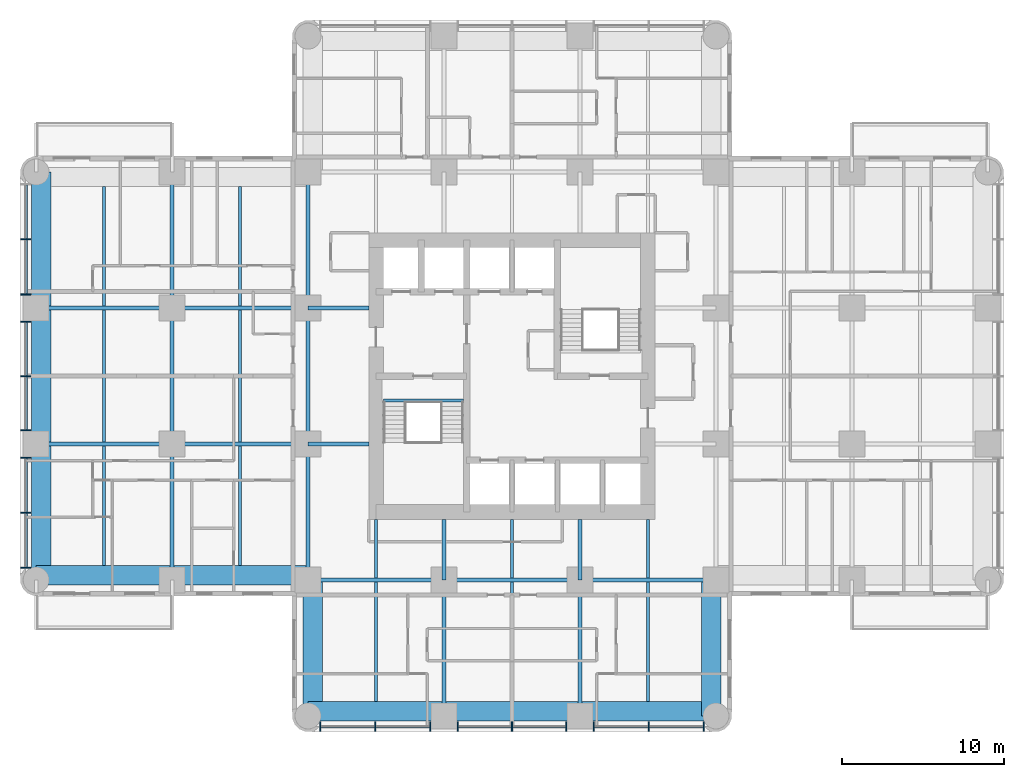
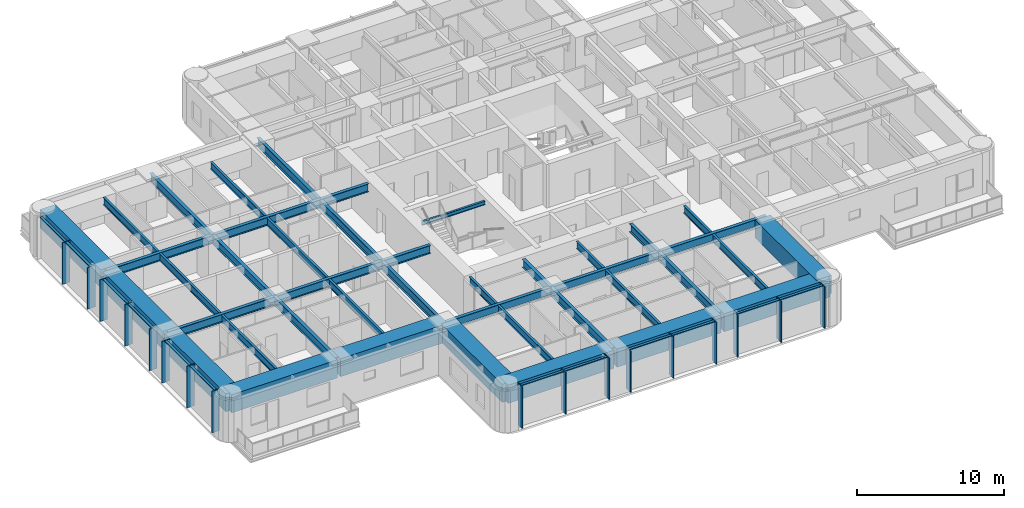
# One storey, part 2 of 14: 42 beams, 29 members, 2 elements without a shape of their own.
"""IFC4 building model written with IfcOpenShell, lengths in metres."""

from ifc_helpers import new_model, si_unit, direction, frame, origin, origin_2d, place, context, subcontext, project, spatial, rectangle, i_section, extrude, material, material_profile, profile_set, type_object, element, aggregate, save


model = new_model("IFC4")

# Units and contexts
model_context = context("Model", 3, precision=1e-05, world=origin(), true_north=direction((0.0, 1.0)))
body_context = subcontext(model_context, "Body", "Model", "MODEL_VIEW")
ifc_project = project(units=[si_unit("LENGTHUNIT", "METRE"), si_unit("AREAUNIT", "SQUARE_METRE"), si_unit("VOLUMEUNIT", "CUBIC_METRE"), si_unit("PLANEANGLEUNIT", "RADIAN"), si_unit("MASSUNIT", "GRAM", prefix="KILO")], contexts=[model_context])

# Site, building, storey
site_placement = place(None, origin())
site = spatial("IfcSite", under=ifc_project, at=site_placement, CompositionType="ELEMENT")
building_placement = place(site_placement, origin())
building = spatial("IfcBuilding", under=site, at=building_placement, Name="Torre Alcanfor", CompositionType="ELEMENT")
storey_placement = place(building_placement, frame((0.0, 0.0, 126.89990234375)))
storey = spatial("IfcBuildingStorey", under=building, at=storey_placement, Name="L32", CompositionType="ELEMENT", Elevation=126.89990234375)

# Curtain wall, members
ifc_material_1 = material(Name="Aluminium and glass", Category="aluminium")
curtain_wall_type = type_object("IfcCurtainWallType", Name="CW-A unitised apartment glazing with vertical FIN", PredefinedType="NOTDEFINED", material=ifc_material_1)
curtain_wall_1_placement = place(storey_placement, origin())
curtain_wall_1 = element("IfcCurtainWall", 1, at=curtain_wall_1_placement, inside=storey, type_object=curtain_wall_type, Name="Curtain wall CW-A L32 2", PredefinedType="NOTDEFINED")
ifc_material_2 = material(Name="Bronze anodised aluminium", Category="aluminium")
ifc_material_profile_1 = material_profile(ifc_material_2, rectangle(XDim=0.60009765625, YDim=0.06494140625, at=origin_2d()), Name="CW-A mullion 65x600")
ifc_profile_set_1 = profile_set([ifc_material_profile_1], Name="Bronze anodised aluminium")
member_type_1 = type_object("IfcMemberType", Name="CW-A mullion with vertical FIN 65x600", PredefinedType="MULLION", material=ifc_profile_set_1)
member_1_placement = place(storey_placement, frame((-0.64990234375, 37.840087890625, 0.0), z_axis=(0.0, 0.0, 1.0), x_axis=(1.0, 0.0, 0.0)))
member_1 = element("IfcMember", 2, at=member_1_placement, type_object=member_type_1, Name="CW-A mullion 1.2", PredefinedType="MULLION", context=body_context, shape_type="SweptSolid", body=[
    extrude(rectangle(XDim=0.60009765625, YDim=0.06494140625, at=origin_2d()), origin(), (0.0, 0.0, 1.0), 3.4501953125),
])
member_2_placement = place(storey_placement, frame((-0.64990234375, 34.4375, 0.0), z_axis=(0.0, 0.0, 1.0), x_axis=(1.0, 0.0, 0.0)))
member_2 = element("IfcMember", 3, at=member_2_placement, type_object=member_type_1, Name="CW-A mullion 1.3", PredefinedType="MULLION", context=body_context, shape_type="SweptSolid", body=[
    extrude(rectangle(XDim=0.60009765625, YDim=0.06494140625, at=origin_2d()), origin(), (0.0, 0.0, 1.0), 3.4501953125),
])
member_3_placement = place(storey_placement, frame((-0.64990234375, 32.762451171875, 0.0), z_axis=(0.0, 0.0, 1.0), x_axis=(1.0, 0.0, 0.0)))
member_3 = element("IfcMember", 4, at=member_3_placement, type_object=member_type_1, Name="CW-A mullion 2.1", PredefinedType="MULLION", context=body_context, shape_type="SweptSolid", body=[
    extrude(rectangle(XDim=0.60009765625, YDim=0.06494140625, at=origin_2d()), origin(), (0.0, 0.0, 1.0), 3.4501953125),
])
member_4_placement = place(storey_placement, frame((-0.64990234375, 29.39990234375, 0.0), z_axis=(0.0, 0.0, 1.0), x_axis=(1.0, 0.0, 0.0)))
member_4 = element("IfcMember", 5, at=member_4_placement, type_object=member_type_1, Name="CW-A mullion 2.2", PredefinedType="MULLION", context=body_context, shape_type="SweptSolid", body=[
    extrude(rectangle(XDim=0.60009765625, YDim=0.06494140625, at=origin_2d()), origin(), (0.0, 0.0, 1.0), 3.4501953125),
])
member_5_placement = place(storey_placement, frame((-0.64990234375, 26.03759765625, 0.0), z_axis=(0.0, 0.0, 1.0), x_axis=(1.0, 0.0, 0.0)))
member_5 = element("IfcMember", 6, at=member_5_placement, type_object=member_type_1, Name="CW-A mullion 2.3", PredefinedType="MULLION", context=body_context, shape_type="SweptSolid", body=[
    extrude(rectangle(XDim=0.60009765625, YDim=0.06494140625, at=origin_2d()), origin(), (0.0, 0.0, 1.0), 3.4501953125),
])
member_6_placement = place(storey_placement, frame((-0.64990234375, 24.362548828125, 0.0), z_axis=(0.0, 0.0, 1.0), x_axis=(1.0, 0.0, 0.0)))
member_6 = element("IfcMember", 7, at=member_6_placement, type_object=member_type_1, Name="CW-A mullion 3.1", PredefinedType="MULLION", context=body_context, shape_type="SweptSolid", body=[
    extrude(rectangle(XDim=0.60009765625, YDim=0.06494140625, at=origin_2d()), origin(), (0.0, 0.0, 1.0), 3.4501953125),
])
member_7_placement = place(storey_placement, frame((-0.64990234375, 20.9599609375, 0.0), z_axis=(0.0, 0.0, 1.0), x_axis=(1.0, 0.0, 0.0)))
member_7 = element("IfcMember", 8, at=member_7_placement, type_object=member_type_1, Name="CW-A mullion 3.2", PredefinedType="MULLION", context=body_context, shape_type="SweptSolid", body=[
    extrude(rectangle(XDim=0.60009765625, YDim=0.06494140625, at=origin_2d()), origin(), (0.0, 0.0, 1.0), 3.4501953125),
])
member_8_placement = place(storey_placement, frame((-0.64990234375, 17.557373046875, 0.0), z_axis=(0.0, 0.0, 1.0), x_axis=(1.0, 0.0, 0.0)))
member_8 = element("IfcMember", 9, at=member_8_placement, type_object=member_type_1, Name="CW-A mullion 3.3", PredefinedType="MULLION", context=body_context, shape_type="SweptSolid", body=[
    extrude(rectangle(XDim=0.60009765625, YDim=0.06494140625, at=origin_2d()), origin(), (0.0, 0.0, 1.0), 3.4501953125),
])

curtain_wall_2_placement = place(storey_placement, origin())
curtain_wall_2 = element("IfcCurtainWall", 10, at=curtain_wall_2_placement, inside=storey, type_object=curtain_wall_type, Name="Curtain wall CW-A L32 5", PredefinedType="NOTDEFINED")
member_9_placement = place(storey_placement, frame((17.557373046875, 7.75, 0.0), z_axis=(0.0, 0.0, 1.0), x_axis=(0.0, 1.0, 0.0)))
member_9 = element("IfcMember", 11, at=member_9_placement, type_object=member_type_1, Name="CW-A mullion 1.1", PredefinedType="MULLION", context=body_context, shape_type="SweptSolid", body=[
    extrude(rectangle(XDim=0.60009765625, YDim=0.06494140625, at=origin_2d()), origin(), (0.0, 0.0, 1.0), 3.4501953125),
])
member_10_placement = place(storey_placement, frame((20.9599609375, 7.75, 0.0), z_axis=(0.0, 0.0, 1.0), x_axis=(0.0, 1.0, 0.0)))
member_10 = element("IfcMember", 12, at=member_10_placement, type_object=member_type_1, Name="CW-A mullion 1.2", PredefinedType="MULLION", context=body_context, shape_type="SweptSolid", body=[
    extrude(rectangle(XDim=0.60009765625, YDim=0.06494140625, at=origin_2d()), origin(), (0.0, 0.0, 1.0), 3.4501953125),
])
member_11_placement = place(storey_placement, frame((24.362548828125, 7.75, 0.0), z_axis=(0.0, 0.0, 1.0), x_axis=(0.0, 1.0, 0.0)))
member_11 = element("IfcMember", 13, at=member_11_placement, type_object=member_type_1, Name="CW-A mullion 1.3", PredefinedType="MULLION", context=body_context, shape_type="SweptSolid", body=[
    extrude(rectangle(XDim=0.60009765625, YDim=0.06494140625, at=origin_2d()), origin(), (0.0, 0.0, 1.0), 3.4501953125),
])
member_12_placement = place(storey_placement, frame((26.03759765625, 7.75, 0.0), z_axis=(0.0, 0.0, 1.0), x_axis=(0.0, 1.0, 0.0)))
member_12 = element("IfcMember", 14, at=member_12_placement, type_object=member_type_1, Name="CW-A mullion 2.1", PredefinedType="MULLION", context=body_context, shape_type="SweptSolid", body=[
    extrude(rectangle(XDim=0.60009765625, YDim=0.06494140625, at=origin_2d()), origin(), (0.0, 0.0, 1.0), 3.4501953125),
])
member_13_placement = place(storey_placement, frame((29.39990234375, 7.75, 0.0), z_axis=(0.0, 0.0, 1.0), x_axis=(0.0, 1.0, 0.0)))
member_13 = element("IfcMember", 15, at=member_13_placement, type_object=member_type_1, Name="CW-A mullion 2.2", PredefinedType="MULLION", context=body_context, shape_type="SweptSolid", body=[
    extrude(rectangle(XDim=0.60009765625, YDim=0.06494140625, at=origin_2d()), origin(), (0.0, 0.0, 1.0), 3.4501953125),
])
member_14_placement = place(storey_placement, frame((32.762451171875, 7.75, 0.0), z_axis=(0.0, 0.0, 1.0), x_axis=(0.0, 1.0, 0.0)))
member_14 = element("IfcMember", 16, at=member_14_placement, type_object=member_type_1, Name="CW-A mullion 2.3", PredefinedType="MULLION", context=body_context, shape_type="SweptSolid", body=[
    extrude(rectangle(XDim=0.60009765625, YDim=0.06494140625, at=origin_2d()), origin(), (0.0, 0.0, 1.0), 3.4501953125),
])
member_15_placement = place(storey_placement, frame((34.4375, 7.75, 0.0), z_axis=(0.0, 0.0, 1.0), x_axis=(0.0, 1.0, 0.0)))
member_15 = element("IfcMember", 17, at=member_15_placement, type_object=member_type_1, Name="CW-A mullion 3.1", PredefinedType="MULLION", context=body_context, shape_type="SweptSolid", body=[
    extrude(rectangle(XDim=0.60009765625, YDim=0.06494140625, at=origin_2d()), origin(), (0.0, 0.0, 1.0), 3.4501953125),
])
member_16_placement = place(storey_placement, frame((37.840087890625, 7.75, 0.0), z_axis=(0.0, 0.0, 1.0), x_axis=(0.0, 1.0, 0.0)))
member_16 = element("IfcMember", 18, at=member_16_placement, type_object=member_type_1, Name="CW-A mullion 3.2", PredefinedType="MULLION", context=body_context, shape_type="SweptSolid", body=[
    extrude(rectangle(XDim=0.60009765625, YDim=0.06494140625, at=origin_2d()), origin(), (0.0, 0.0, 1.0), 3.4501953125),
])
member_17_placement = place(storey_placement, frame((41.24267578125, 7.75, 0.0), z_axis=(0.0, 0.0, 1.0), x_axis=(0.0, 1.0, 0.0)))
member_17 = element("IfcMember", 19, at=member_17_placement, type_object=member_type_1, Name="CW-A mullion 3.3", PredefinedType="MULLION", context=body_context, shape_type="SweptSolid", body=[
    extrude(rectangle(XDim=0.60009765625, YDim=0.06494140625, at=origin_2d()), origin(), (0.0, 0.0, 1.0), 3.4501953125),
])

# Member
ifc_material_3 = material(Name="Extruded aluminium", Category="aluminium")
ifc_material_profile_2 = material_profile(ifc_material_3, rectangle(XDim=0.199951171875, YDim=0.06494140625, at=origin_2d()), Name="CW-A transom 200x65")
ifc_profile_set_2 = profile_set([ifc_material_profile_2], Name="Extruded aluminium")
member_type_2 = type_object("IfcMemberType", Name="CW-A transom 65x200", PredefinedType="USERDEFINED", material=ifc_profile_set_2)
member_18_placement = place(storey_placement, frame((-0.64990234375, 41.210205078125, 3.41748046875), z_axis=(0.0, -1.0, 0.0), x_axis=(1.0, 0.0, 0.0)))
member_18 = element("IfcMember", 20, at=member_18_placement, type_object=member_type_2, Name="CW-A transom 1.1.2", ObjectType="TRANSOM", PredefinedType="USERDEFINED", context=body_context, shape_type="SweptSolid", body=[
    extrude(rectangle(XDim=0.199951171875, YDim=0.06494140625, at=origin_2d()), origin(), (0.0, 0.0, 1.0), 3.337646484375),
])

member_19_placement = place(storey_placement, frame((-0.64990234375, 37.8076171875, 3.41748046875), z_axis=(0.0, -1.0, 0.0), x_axis=(1.0, 0.0, 0.0)))
member_19 = element("IfcMember", 21, at=member_19_placement, type_object=member_type_2, Name="CW-A transom 1.2.2", ObjectType="TRANSOM", PredefinedType="USERDEFINED", context=body_context, shape_type="SweptSolid", body=[
    extrude(rectangle(XDim=0.199951171875, YDim=0.06494140625, at=origin_2d()), origin(), (0.0, 0.0, 1.0), 3.337646484375),
])

member_20_placement = place(storey_placement, frame((-0.64990234375, 32.72998046875, 3.41748046875), z_axis=(0.0, -1.0, 0.0), x_axis=(1.0, 0.0, 0.0)))
member_20 = element("IfcMember", 22, at=member_20_placement, type_object=member_type_2, Name="CW-A transom 2.1.2", ObjectType="TRANSOM", PredefinedType="USERDEFINED", context=body_context, shape_type="SweptSolid", body=[
    extrude(rectangle(XDim=0.199951171875, YDim=0.06494140625, at=origin_2d()), origin(), (0.0, 0.0, 1.0), 3.29736328125),
])

member_21_placement = place(storey_placement, frame((-0.64990234375, 29.367431640625, 3.41748046875), z_axis=(0.0, -1.0, 0.0), x_axis=(1.0, 0.0, 0.0)))
member_21 = element("IfcMember", 23, at=member_21_placement, type_object=member_type_2, Name="CW-A transom 2.2.2", ObjectType="TRANSOM", PredefinedType="USERDEFINED", context=body_context, shape_type="SweptSolid", body=[
    extrude(rectangle(XDim=0.199951171875, YDim=0.06494140625, at=origin_2d()), origin(), (0.0, 0.0, 1.0), 3.29736328125),
])

member_22_placement = place(storey_placement, frame((-0.64990234375, 24.330078125, 3.41748046875), z_axis=(0.0, -1.0, 0.0), x_axis=(1.0, 0.0, 0.0)))
member_22 = element("IfcMember", 24, at=member_22_placement, type_object=member_type_2, Name="CW-A transom 3.1.2", ObjectType="TRANSOM", PredefinedType="USERDEFINED", context=body_context, shape_type="SweptSolid", body=[
    extrude(rectangle(XDim=0.199951171875, YDim=0.06494140625, at=origin_2d()), origin(), (0.0, 0.0, 1.0), 3.337646484375),
])

member_23_placement = place(storey_placement, frame((-0.64990234375, 20.927490234375, 3.41748046875), z_axis=(0.0, -1.0, 0.0), x_axis=(1.0, 0.0, 0.0)))
member_23 = element("IfcMember", 25, at=member_23_placement, type_object=member_type_2, Name="CW-A transom 3.2.2", ObjectType="TRANSOM", PredefinedType="USERDEFINED", context=body_context, shape_type="SweptSolid", body=[
    extrude(rectangle(XDim=0.199951171875, YDim=0.06494140625, at=origin_2d()), origin(), (0.0, 0.0, 1.0), 3.337646484375),
])

aggregate(curtain_wall_1, [member_1, member_2, member_18, member_19, member_3, member_4, member_5, member_20, member_21, member_6, member_7, member_8, member_22, member_23])

member_24_placement = place(storey_placement, frame((17.58984375, 7.75, 3.41748046875), z_axis=(1.0, 0.0, 0.0), x_axis=(0.0, 1.0, 0.0)))
member_24 = element("IfcMember", 26, at=member_24_placement, type_object=member_type_2, Name="CW-A transom 1.1.2", ObjectType="TRANSOM", PredefinedType="USERDEFINED", context=body_context, shape_type="SweptSolid", body=[
    extrude(rectangle(XDim=0.199951171875, YDim=0.06494140625, at=origin_2d()), origin(), (0.0, 0.0, 1.0), 3.337646484375),
])

member_25_placement = place(storey_placement, frame((20.992431640625, 7.75, 3.41748046875), z_axis=(1.0, 0.0, 0.0), x_axis=(0.0, 1.0, 0.0)))
member_25 = element("IfcMember", 27, at=member_25_placement, type_object=member_type_2, Name="CW-A transom 1.2.2", ObjectType="TRANSOM", PredefinedType="USERDEFINED", context=body_context, shape_type="SweptSolid", body=[
    extrude(rectangle(XDim=0.199951171875, YDim=0.06494140625, at=origin_2d()), origin(), (0.0, 0.0, 1.0), 3.337646484375),
])

member_26_placement = place(storey_placement, frame((26.070068359375, 7.75, 3.41748046875), z_axis=(1.0, 0.0, 0.0), x_axis=(0.0, 1.0, 0.0)))
member_26 = element("IfcMember", 28, at=member_26_placement, type_object=member_type_2, Name="CW-A transom 2.1.2", ObjectType="TRANSOM", PredefinedType="USERDEFINED", context=body_context, shape_type="SweptSolid", body=[
    extrude(rectangle(XDim=0.199951171875, YDim=0.06494140625, at=origin_2d()), origin(), (0.0, 0.0, 1.0), 3.29736328125),
])

member_27_placement = place(storey_placement, frame((29.4326171875, 7.75, 3.41748046875), z_axis=(1.0, 0.0, 0.0), x_axis=(0.0, 1.0, 0.0)))
member_27 = element("IfcMember", 29, at=member_27_placement, type_object=member_type_2, Name="CW-A transom 2.2.2", ObjectType="TRANSOM", PredefinedType="USERDEFINED", context=body_context, shape_type="SweptSolid", body=[
    extrude(rectangle(XDim=0.199951171875, YDim=0.06494140625, at=origin_2d()), origin(), (0.0, 0.0, 1.0), 3.29736328125),
])

member_28_placement = place(storey_placement, frame((34.469970703125, 7.75, 3.41748046875), z_axis=(1.0, 0.0, 0.0), x_axis=(0.0, 1.0, 0.0)))
member_28 = element("IfcMember", 30, at=member_28_placement, type_object=member_type_2, Name="CW-A transom 3.1.2", ObjectType="TRANSOM", PredefinedType="USERDEFINED", context=body_context, shape_type="SweptSolid", body=[
    extrude(rectangle(XDim=0.199951171875, YDim=0.06494140625, at=origin_2d()), origin(), (0.0, 0.0, 1.0), 3.337646484375),
])

member_29_placement = place(storey_placement, frame((37.87255859375, 7.75, 3.41748046875), z_axis=(1.0, 0.0, 0.0), x_axis=(0.0, 1.0, 0.0)))
member_29 = element("IfcMember", 31, at=member_29_placement, type_object=member_type_2, Name="CW-A transom 3.2.2", ObjectType="TRANSOM", PredefinedType="USERDEFINED", context=body_context, shape_type="SweptSolid", body=[
    extrude(rectangle(XDim=0.199951171875, YDim=0.06494140625, at=origin_2d()), origin(), (0.0, 0.0, 1.0), 3.337646484375),
])

aggregate(curtain_wall_2, [member_9, member_10, member_11, member_24, member_25, member_12, member_13, member_14, member_26, member_27, member_15, member_16, member_17, member_28, member_29])

# Beams
ifc_material_4 = material(Name="Steel ASTM A992 Grade 50", Category="steel")
ifc_material_profile_3 = material_profile(ifc_material_4, i_section(OverallWidth=0.25390625, OverallDepth=0.683349609375, WebThickness=0.012451171875, FlangeThickness=0.01904296875, at=origin_2d()), Name="W27x94")
ifc_profile_set_3 = profile_set([ifc_material_profile_3], Name="Steel ASTM A992 Grade 50")
beam_type_1 = type_object("IfcBeamType", Name="Girder W27x94", PredefinedType="BEAM", material=ifc_profile_set_3)
beam_1_placement = place(storey_placement, frame((16.800048828125, 16.800048828125, 3.1083984375), z_axis=(1.0, 0.0, 0.0), x_axis=(0.0, 1.0, 0.0)))
element("IfcBeam", 32, at=beam_1_placement, inside=storey, type_object=beam_type_1, Name="Beam 3E-4E under L33", PredefinedType="BEAM", context=body_context, shape_type="SweptSolid", body=[
    extrude(i_section(OverallWidth=0.25390625, OverallDepth=0.683349609375, WebThickness=0.012451171875, FlangeThickness=0.01904296875, at=origin_2d()), origin(), (0.0, 0.0, 1.0), 8.39990234375),
])
beam_2_placement = place(storey_placement, frame((25.199951171875, 16.800048828125, 3.1083984375), z_axis=(1.0, 0.0, 0.0), x_axis=(0.0, 1.0, 0.0)))
element("IfcBeam", 33, at=beam_2_placement, inside=storey, type_object=beam_type_1, Name="Beam 4E-5E under L33", PredefinedType="BEAM", context=body_context, shape_type="SweptSolid", body=[
    extrude(i_section(OverallWidth=0.25390625, OverallDepth=0.683349609375, WebThickness=0.012451171875, FlangeThickness=0.01904296875, at=origin_2d()), origin(), (0.0, 0.0, 1.0), 8.400146484375),
])
for number, where, z_axis, x_axis, name in (
    (34, (33.60009765625, 16.800048828125, 3.1083984375), (1.0, 0.0, 0.0), (0.0, 1.0, 0.0), "Beam 5E-6E under L33"),
    (35, (0.0, 25.199951171875, 3.1083984375), (1.0, 0.0, 0.0), (0.0, 1.0, 0.0), "Beam 1F-2F under L33"),
):
    element("IfcBeam", number, at=place(storey_placement, frame(where, z_axis=z_axis, x_axis=x_axis)), inside=storey, type_object=beam_type_1, Name=name, PredefinedType="BEAM", context=body_context, shape_type="SweptSolid", body=[
        extrude(i_section(OverallWidth=0.25390625, OverallDepth=0.683349609375, WebThickness=0.012451171875, FlangeThickness=0.01904296875, at=origin_2d()), origin(), (0.0, 0.0, 1.0), 8.39990234375),
    ])
beam_3_placement = place(storey_placement, frame((8.39990234375, 25.199951171875, 3.1083984375), z_axis=(1.0, 0.0, 0.0), x_axis=(0.0, 1.0, 0.0)))
element("IfcBeam", 36, at=beam_3_placement, inside=storey, type_object=beam_type_1, Name="Beam 2F-3F under L33", PredefinedType="BEAM", context=body_context, shape_type="SweptSolid", body=[
    extrude(i_section(OverallWidth=0.25390625, OverallDepth=0.683349609375, WebThickness=0.012451171875, FlangeThickness=0.01904296875, at=origin_2d()), origin(), (0.0, 0.0, 1.0), 8.400146484375),
])
beam_4_placement = place(storey_placement, frame((0.0, 33.60009765625, 3.1083984375), z_axis=(1.0, 0.0, 0.0), x_axis=(0.0, 1.0, 0.0)))
element("IfcBeam", 37, at=beam_4_placement, inside=storey, type_object=beam_type_1, Name="Beam 1G-2G under L33", PredefinedType="BEAM", context=body_context, shape_type="SweptSolid", body=[
    extrude(i_section(OverallWidth=0.25390625, OverallDepth=0.683349609375, WebThickness=0.012451171875, FlangeThickness=0.01904296875, at=origin_2d()), origin(), (0.0, 0.0, 1.0), 8.39990234375),
])
beam_5_placement = place(storey_placement, frame((8.39990234375, 33.60009765625, 3.1083984375), z_axis=(1.0, 0.0, 0.0), x_axis=(0.0, 1.0, 0.0)))
element("IfcBeam", 38, at=beam_5_placement, inside=storey, type_object=beam_type_1, Name="Beam 2G-3G under L33", PredefinedType="BEAM", context=body_context, shape_type="SweptSolid", body=[
    extrude(i_section(OverallWidth=0.25390625, OverallDepth=0.683349609375, WebThickness=0.012451171875, FlangeThickness=0.01904296875, at=origin_2d()), origin(), (0.0, 0.0, 1.0), 8.400146484375),
])
beam_6_placement = place(storey_placement, frame((8.39990234375, 16.800048828125, 3.1083984375), z_axis=(0.0, 1.0, 0.0), x_axis=(-1.0, 0.0, 0.0)))
element("IfcBeam", 39, at=beam_6_placement, inside=storey, type_object=beam_type_1, Name="Beam 2E-2F under L33", PredefinedType="BEAM", context=body_context, shape_type="SweptSolid", body=[
    extrude(i_section(OverallWidth=0.25390625, OverallDepth=0.683349609375, WebThickness=0.012451171875, FlangeThickness=0.01904296875, at=origin_2d()), origin(), (0.0, 0.0, 1.0), 8.39990234375),
])
beam_7_placement = place(storey_placement, frame((8.39990234375, 25.199951171875, 3.1083984375), z_axis=(0.0, 1.0, 0.0), x_axis=(-1.0, 0.0, 0.0)))
element("IfcBeam", 40, at=beam_7_placement, inside=storey, type_object=beam_type_1, Name="Beam 2F-2G under L33", PredefinedType="BEAM", context=body_context, shape_type="SweptSolid", body=[
    extrude(i_section(OverallWidth=0.25390625, OverallDepth=0.683349609375, WebThickness=0.012451171875, FlangeThickness=0.01904296875, at=origin_2d()), origin(), (0.0, 0.0, 1.0), 8.400146484375),
])
for number, where, z_axis, x_axis, name in (
    (41, (8.39990234375, 33.60009765625, 3.1083984375), (0.0, 1.0, 0.0), (-1.0, 0.0, 0.0), "Beam 2G-2H under L33"),
    (42, (16.800048828125, 16.800048828125, 3.1083984375), (0.0, 1.0, 0.0), (-1.0, 0.0, 0.0), "Beam 3E-3F under L33"),
):
    element("IfcBeam", number, at=place(storey_placement, frame(where, z_axis=z_axis, x_axis=x_axis)), inside=storey, type_object=beam_type_1, Name=name, PredefinedType="BEAM", context=body_context, shape_type="SweptSolid", body=[
        extrude(i_section(OverallWidth=0.25390625, OverallDepth=0.683349609375, WebThickness=0.012451171875, FlangeThickness=0.01904296875, at=origin_2d()), origin(), (0.0, 0.0, 1.0), 8.39990234375),
    ])
beam_8_placement = place(storey_placement, frame((16.800048828125, 25.199951171875, 3.1083984375), z_axis=(0.0, 1.0, 0.0), x_axis=(-1.0, 0.0, 0.0)))
element("IfcBeam", 43, at=beam_8_placement, inside=storey, type_object=beam_type_1, Name="Beam 3F-3G under L33", PredefinedType="BEAM", context=body_context, shape_type="SweptSolid", body=[
    extrude(i_section(OverallWidth=0.25390625, OverallDepth=0.683349609375, WebThickness=0.012451171875, FlangeThickness=0.01904296875, at=origin_2d()), origin(), (0.0, 0.0, 1.0), 8.400146484375),
])
beam_9_placement = place(storey_placement, frame((16.800048828125, 33.60009765625, 3.1083984375), z_axis=(0.0, 1.0, 0.0), x_axis=(-1.0, 0.0, 0.0)))
element("IfcBeam", 44, at=beam_9_placement, inside=storey, type_object=beam_type_1, Name="Beam 3G-3H under L33", PredefinedType="BEAM", context=body_context, shape_type="SweptSolid", body=[
    extrude(i_section(OverallWidth=0.25390625, OverallDepth=0.683349609375, WebThickness=0.012451171875, FlangeThickness=0.01904296875, at=origin_2d()), origin(), (0.0, 0.0, 1.0), 8.39990234375),
])
for number, where, z_axis, x_axis, name in (
    (45, (25.199951171875, 8.39990234375, 3.1083984375), (0.0, 1.0, 0.0), (-1.0, 0.0, 0.0), "Beam 4D-4E under L33"),
    (46, (33.60009765625, 8.39990234375, 3.1083984375), (0.0, 1.0, 0.0), (-1.0, 0.0, 0.0), "Beam 5D-5E under L33"),
):
    element("IfcBeam", number, at=place(storey_placement, frame(where, z_axis=z_axis, x_axis=x_axis)), inside=storey, type_object=beam_type_1, Name=name, PredefinedType="BEAM", context=body_context, shape_type="SweptSolid", body=[
        extrude(i_section(OverallWidth=0.25390625, OverallDepth=0.683349609375, WebThickness=0.012451171875, FlangeThickness=0.01904296875, at=origin_2d()), origin(), (0.0, 0.0, 1.0), 8.400146484375),
    ])
ifc_material_5 = material(Name="Steel ASTM A992 Grade 50", Category="steel")
ifc_material_profile_4 = material_profile(ifc_material_5, i_section(OverallWidth=0.25390625, OverallDepth=0.683349609375, WebThickness=0.012451171875, FlangeThickness=0.01904296875, at=origin_2d()), Name="W27x94")
ifc_profile_set_4 = profile_set([ifc_material_profile_4], Name="Steel ASTM A992 Grade 50")
beam_type_2 = type_object("IfcBeamType", Name="Girder, part bay W27x94", PredefinedType="BEAM", material=ifc_profile_set_4)
for number, where, z_axis, x_axis, name in (
    (47, (25.199951171875, 16.800048828125, 3.1083984375), (0.0, 1.0, 0.0), (-1.0, 0.0, 0.0), "Beam 4E-420_55 under L33"),
    (48, (33.60009765625, 16.800048828125, 3.1083984375), (0.0, 1.0, 0.0), (-1.0, 0.0, 0.0), "Beam 5E-520_55 under L33"),
    (49, (16.800048828125, 25.199951171875, 3.1083984375), (1.0, 0.0, 0.0), (0.0, 1.0, 0.0), "Beam 3F-20_55F under L33"),
    (50, (16.800048828125, 33.60009765625, 3.1083984375), (1.0, 0.0, 0.0), (0.0, 1.0, 0.0), "Beam 3G-20_55G under L33"),
):
    element("IfcBeam", number, at=place(storey_placement, frame(where, z_axis=z_axis, x_axis=x_axis)), inside=storey, type_object=beam_type_2, Name=name, PredefinedType="BEAM", context=body_context, shape_type="SweptSolid", body=[
        extrude(i_section(OverallWidth=0.25390625, OverallDepth=0.683349609375, WebThickness=0.012451171875, FlangeThickness=0.01904296875, at=origin_2d()), origin(), (0.0, 0.0, 1.0), 3.75),
    ])
ifc_material_6 = material(Name="Concrete f'c 70 MPa", Category="concrete")
ifc_material_profile_5 = material_profile(ifc_material_6, rectangle(XDim=1.199951171875, YDim=1.5, at=origin_2d()), Name="1200x1500")
ifc_profile_set_5 = profile_set([ifc_material_profile_5], Name="Concrete f'c 70 MPa")
beam_type_3 = type_object("IfcBeamType", Name="RC perimeter beam 1200x1500", PredefinedType="BEAM", material=ifc_profile_set_5)
beam_10_placement = place(storey_placement, frame((16.800048828125, 8.699951171875, 2.7001953125), z_axis=(1.0, 0.0, 0.0), x_axis=(0.0, 1.0, 0.0)))
element("IfcBeam", 51, at=beam_10_placement, inside=storey, type_object=beam_type_3, Name="Beam 3D-4D under L33", PredefinedType="BEAM", context=body_context, shape_type="SweptSolid", body=[
    extrude(rectangle(XDim=1.199951171875, YDim=1.5, at=origin_2d()), origin(), (0.0, 0.0, 1.0), 8.27294921875),
])
beam_11_placement = place(storey_placement, frame((25.326904296875, 8.699951171875, 2.7001953125), z_axis=(1.0, 0.0, 0.0), x_axis=(0.0, 1.0, 0.0)))
element("IfcBeam", 52, at=beam_11_placement, inside=storey, type_object=beam_type_3, Name="Beam 4D-5D under L33", PredefinedType="BEAM", context=body_context, shape_type="SweptSolid", body=[
    extrude(rectangle(XDim=1.199951171875, YDim=1.5, at=origin_2d()), origin(), (0.0, 0.0, 1.0), 8.14599609375),
])
for number, where, z_axis, x_axis, name in (
    (53, (33.72705078125, 8.699951171875, 2.7001953125), (1.0, 0.0, 0.0), (0.0, 1.0, 0.0), "Beam 5D-6D under L33"),
    (54, (0.0, 17.10009765625, 2.7001953125), (1.0, 0.0, 0.0), (0.0, 1.0, 0.0), "Beam 1E-2E under L33"),
):
    element("IfcBeam", number, at=place(storey_placement, frame(where, z_axis=z_axis, x_axis=x_axis)), inside=storey, type_object=beam_type_3, Name=name, PredefinedType="BEAM", context=body_context, shape_type="SweptSolid", body=[
        extrude(rectangle(XDim=1.199951171875, YDim=1.5, at=origin_2d()), origin(), (0.0, 0.0, 1.0), 8.27294921875),
    ])
beam_12_placement = place(storey_placement, frame((8.527099609375, 17.10009765625, 2.7001953125), z_axis=(1.0, 0.0, 0.0), x_axis=(0.0, 1.0, 0.0)))
element("IfcBeam", 55, at=beam_12_placement, inside=storey, type_object=beam_type_3, Name="Beam 2E-3E under L33", PredefinedType="BEAM", context=body_context, shape_type="SweptSolid", body=[
    extrude(rectangle(XDim=1.199951171875, YDim=1.5, at=origin_2d()), origin(), (0.0, 0.0, 1.0), 8.39990234375),
])
beam_13_placement = place(storey_placement, frame((0.300048828125, 16.800048828125, 2.7001953125), z_axis=(0.0, 1.0, 0.0), x_axis=(-1.0, 0.0, 0.0)))
element("IfcBeam", 56, at=beam_13_placement, inside=storey, type_object=beam_type_3, Name="Beam 1E-1F under L33", PredefinedType="BEAM", context=body_context, shape_type="SweptSolid", body=[
    extrude(rectangle(XDim=1.199951171875, YDim=1.5, at=origin_2d()), origin(), (0.0, 0.0, 1.0), 8.27294921875),
])
beam_14_placement = place(storey_placement, frame((0.300048828125, 25.326904296875, 2.7001953125), z_axis=(0.0, 1.0, 0.0), x_axis=(-1.0, 0.0, 0.0)))
element("IfcBeam", 57, at=beam_14_placement, inside=storey, type_object=beam_type_3, Name="Beam 1F-1G under L33", PredefinedType="BEAM", context=body_context, shape_type="SweptSolid", body=[
    extrude(rectangle(XDim=1.199951171875, YDim=1.5, at=origin_2d()), origin(), (0.0, 0.0, 1.0), 8.14599609375),
])
beam_15_placement = place(storey_placement, frame((0.300048828125, 33.72705078125, 2.7001953125), z_axis=(0.0, 1.0, 0.0), x_axis=(-1.0, 0.0, 0.0)))
element("IfcBeam", 58, at=beam_15_placement, inside=storey, type_object=beam_type_3, Name="Beam 1G-1H under L33", PredefinedType="BEAM", context=body_context, shape_type="SweptSolid", body=[
    extrude(rectangle(XDim=1.199951171875, YDim=1.5, at=origin_2d()), origin(), (0.0, 0.0, 1.0), 8.27294921875),
])
for number, where, z_axis, x_axis, name in (
    (59, (17.10009765625, 8.39990234375, 2.7001953125), (0.0, 1.0, 0.0), (-1.0, 0.0, 0.0), "Beam 3D-3E under L33"),
    (60, (41.699951171875, 8.39990234375, 2.7001953125), (0.0, 1.0, 0.0), (-1.0, 0.0, 0.0), "Beam 6D-6E under L33"),
):
    element("IfcBeam", number, at=place(storey_placement, frame(where, z_axis=z_axis, x_axis=x_axis)), inside=storey, type_object=beam_type_3, Name=name, PredefinedType="BEAM", context=body_context, shape_type="SweptSolid", body=[
        extrude(rectangle(XDim=1.199951171875, YDim=1.5, at=origin_2d()), origin(), (0.0, 0.0, 1.0), 8.273193359375),
    ])
ifc_material_7 = material(Name="Steel ASTM A992 Grade 50", Category="steel")
ifc_material_profile_6 = material_profile(ifc_material_7, i_section(OverallWidth=0.1787109375, OverallDepth=0.60205078125, WebThickness=0.010986328125, FlangeThickness=0.014892578125, at=origin_2d()), Name="W24x62")
ifc_profile_set_6 = profile_set([ifc_material_profile_6], Name="Steel ASTM A992 Grade 50")
beam_type_4 = type_object("IfcBeamType", Name="Secondary beam W24x62", PredefinedType="BEAM", material=ifc_profile_set_6)
beam_16_placement = place(storey_placement, frame((4.199951171875, 17.699951171875, 3.149169921875), z_axis=(0.0, 1.0, 0.0), x_axis=(-1.0, 0.0, 0.0)))
element("IfcBeam", 61, at=beam_16_placement, inside=storey, type_object=beam_type_4, Name="Beam 4_2E-4_2F under L33", PredefinedType="BEAM", context=body_context, shape_type="SweptSolid", body=[
    extrude(i_section(OverallWidth=0.1787109375, OverallDepth=0.60205078125, WebThickness=0.010986328125, FlangeThickness=0.014892578125, at=origin_2d()), origin(), (0.0, 0.0, 1.0), 7.373046875),
])
beam_17_placement = place(storey_placement, frame((4.199951171875, 25.326904296875, 3.149169921875), z_axis=(0.0, 1.0, 0.0), x_axis=(-1.0, 0.0, 0.0)))
element("IfcBeam", 62, at=beam_17_placement, inside=storey, type_object=beam_type_4, Name="Beam 4_2F-4_2G under L33", PredefinedType="BEAM", context=body_context, shape_type="SweptSolid", body=[
    extrude(i_section(OverallWidth=0.1787109375, OverallDepth=0.60205078125, WebThickness=0.010986328125, FlangeThickness=0.014892578125, at=origin_2d()), origin(), (0.0, 0.0, 1.0), 8.14599609375),
])
for number, where, z_axis, x_axis, name in (
    (63, (4.199951171875, 33.72705078125, 3.149169921875), (0.0, 1.0, 0.0), (-1.0, 0.0, 0.0), "Beam 4_2G-4_2H under L33"),
    (64, (12.60009765625, 17.699951171875, 3.149169921875), (0.0, 1.0, 0.0), (-1.0, 0.0, 0.0), "Beam 12_6E-12_6F under L33"),
):
    element("IfcBeam", number, at=place(storey_placement, frame(where, z_axis=z_axis, x_axis=x_axis)), inside=storey, type_object=beam_type_4, Name=name, PredefinedType="BEAM", context=body_context, shape_type="SweptSolid", body=[
        extrude(i_section(OverallWidth=0.1787109375, OverallDepth=0.60205078125, WebThickness=0.010986328125, FlangeThickness=0.014892578125, at=origin_2d()), origin(), (0.0, 0.0, 1.0), 7.373046875),
    ])
beam_18_placement = place(storey_placement, frame((12.60009765625, 25.326904296875, 3.149169921875), z_axis=(0.0, 1.0, 0.0), x_axis=(-1.0, 0.0, 0.0)))
element("IfcBeam", 65, at=beam_18_placement, inside=storey, type_object=beam_type_4, Name="Beam 12_6F-12_6G under L33", PredefinedType="BEAM", context=body_context, shape_type="SweptSolid", body=[
    extrude(i_section(OverallWidth=0.1787109375, OverallDepth=0.60205078125, WebThickness=0.010986328125, FlangeThickness=0.014892578125, at=origin_2d()), origin(), (0.0, 0.0, 1.0), 8.14599609375),
])
for number, where, z_axis, x_axis, name in (
    (66, (12.60009765625, 33.72705078125, 3.149169921875), (0.0, 1.0, 0.0), (-1.0, 0.0, 0.0), "Beam 12_6G-12_6H under L33"),
    (67, (21.0, 9.300048828125, 3.149169921875), (0.0, 1.0, 0.0), (-1.0, 0.0, 0.0), "Beam 21D-21E under L33"),
    (68, (29.39990234375, 9.300048828125, 3.149169921875), (0.0, 1.0, 0.0), (-1.0, 0.0, 0.0), "Beam 29_4D-29_4E under L33"),
    (69, (37.800048828125, 9.300048828125, 3.149169921875), (0.0, 1.0, 0.0), (-1.0, 0.0, 0.0), "Beam 37_8D-37_8E under L33"),
):
    element("IfcBeam", number, at=place(storey_placement, frame(where, z_axis=z_axis, x_axis=x_axis)), inside=storey, type_object=beam_type_4, Name=name, PredefinedType="BEAM", context=body_context, shape_type="SweptSolid", body=[
        extrude(i_section(OverallWidth=0.1787109375, OverallDepth=0.60205078125, WebThickness=0.010986328125, FlangeThickness=0.014892578125, at=origin_2d()), origin(), (0.0, 0.0, 1.0), 7.373046875),
    ])
ifc_material_8 = material(Name="Steel ASTM A992 Grade 50", Category="steel")
ifc_material_profile_7 = material_profile(ifc_material_8, i_section(OverallWidth=0.1787109375, OverallDepth=0.60205078125, WebThickness=0.010986328125, FlangeThickness=0.014892578125, at=origin_2d()), Name="W24x62")
ifc_profile_set_7 = profile_set([ifc_material_profile_7], Name="Steel ASTM A992 Grade 50")
beam_type_5 = type_object("IfcBeamType", Name="Secondary beam, part bay W24x62", PredefinedType="BEAM", material=ifc_profile_set_7)
for number, where, z_axis, x_axis, name in (
    (70, (21.0, 16.927001953125, 3.149169921875), (0.0, 1.0, 0.0), (-1.0, 0.0, 0.0), "Beam 21E-2120_55 under L33"),
    (71, (29.39990234375, 16.927001953125, 3.149169921875), (0.0, 1.0, 0.0), (-1.0, 0.0, 0.0), "Beam 29_4E-29_420_55 under L33"),
    (72, (37.800048828125, 16.927001953125, 3.149169921875), (0.0, 1.0, 0.0), (-1.0, 0.0, 0.0), "Beam 37_8E-37_820_55 under L33"),
):
    element("IfcBeam", number, at=place(storey_placement, frame(where, z_axis=z_axis, x_axis=x_axis)), inside=storey, type_object=beam_type_5, Name=name, PredefinedType="BEAM", context=body_context, shape_type="SweptSolid", body=[
        extrude(i_section(OverallWidth=0.1787109375, OverallDepth=0.60205078125, WebThickness=0.010986328125, FlangeThickness=0.014892578125, at=origin_2d()), origin(), (0.0, 0.0, 1.0), 3.623046875),
    ])
ifc_material_9 = material(Name="Steel ASTM A992 Grade 50", Category="steel")
ifc_material_profile_8 = material_profile(ifc_material_9, i_section(OverallWidth=0.164794921875, OverallDepth=0.309814453125, WebThickness=0.005859375, FlangeThickness=0.009765625, at=origin_2d()), Name="W12x26")
ifc_profile_set_8 = profile_set([ifc_material_profile_8], Name="Steel ASTM A992 Grade 50")
beam_type_6 = type_object("IfcBeamType", Name="Stair landing beam W12x26", PredefinedType="BEAM", material=ifc_profile_set_8)
beam_19_placement = place(storey_placement, frame((21.449951171875, 27.887451171875, 3.2451171875), z_axis=(1.0, 0.0, 0.0), x_axis=(0.0, 1.0, 0.0)))
element("IfcBeam", 73, at=beam_19_placement, inside=storey, type_object=beam_type_6, Name="Landing trimmer S1 L33", PredefinedType="BEAM", context=body_context, shape_type="SweptSolid", body=[
    extrude(i_section(OverallWidth=0.164794921875, OverallDepth=0.309814453125, WebThickness=0.005859375, FlangeThickness=0.009765625, at=origin_2d()), origin(), (0.0, 0.0, 1.0), 4.949951171875),
])

save(model, "model.ifc")
